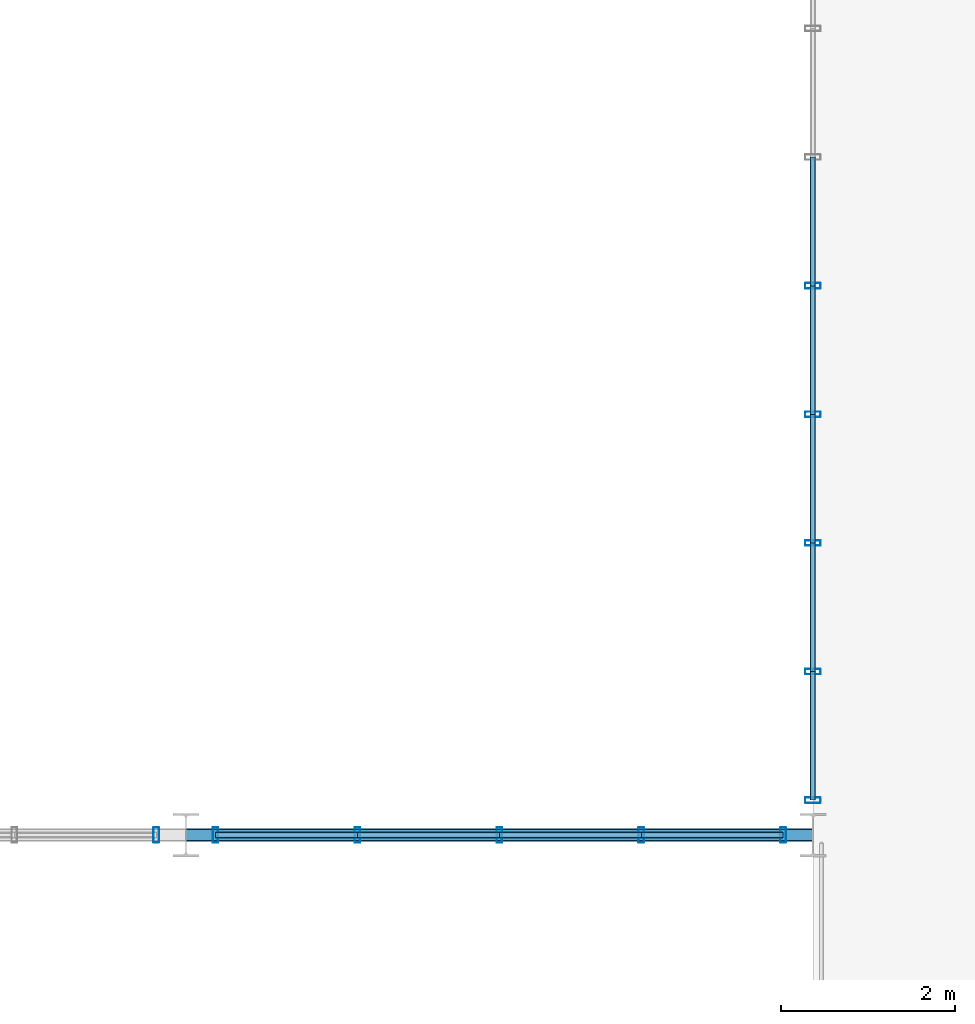
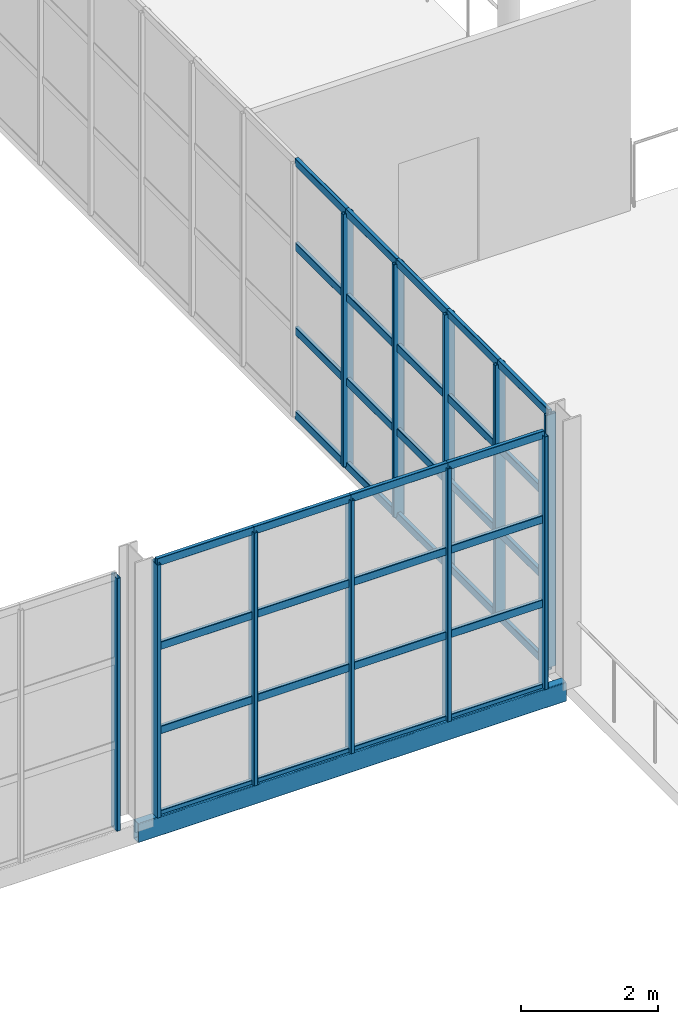
# One storey, part 46 of 143: 47 members, 1 beam, 3 elements without a shape of their own.
"""IFC4 building model written with IfcOpenShell, lengths in metres."""

from ifc_helpers import new_model, si_unit, derived_unit, direction, frame, origin, origin_2d, place, context, subcontext, project, spatial, hollow_rectangle, extrude, material, material_profile, profile_set, type_object, element, aggregate, save


model = new_model("IFC4")

# Units and contexts
model_context = context("Model", 3, precision=1e-05, world=origin(), true_north=direction((0.0, 1.0)))
body_context = subcontext(model_context, "Body", "Model", "MODEL_VIEW")
ifc_project = project(units=[si_unit("LENGTHUNIT", "METRE"), si_unit("AREAUNIT", "SQUARE_METRE"), si_unit("VOLUMEUNIT", "CUBIC_METRE"), si_unit("PLANEANGLEUNIT", "RADIAN"), si_unit("MASSUNIT", "GRAM", prefix="KILO"), derived_unit("THERMALTRANSMITTANCEUNIT", [(si_unit("POWERUNIT", "WATT"), 1), (si_unit("LENGTHUNIT", "METRE"), -2), (si_unit("THERMODYNAMICTEMPERATUREUNIT", "KELVIN"), -1)])], contexts=[model_context])

# Site, building, storey
site_placement = place(None, origin())
site = spatial("IfcSite", under=ifc_project, at=site_placement, CompositionType="ELEMENT")
building_placement = place(site_placement, origin())
building = spatial("IfcBuilding", under=site, at=building_placement, Name="Keldorne Ridge Multi-Sports Centre", CompositionType="ELEMENT")
storey_placement = place(building_placement, frame((0.0, 0.0, 4.800048828125)))
storey = spatial("IfcBuildingStorey", under=building, at=storey_placement, Name="L01", CompositionType="ELEMENT", Elevation=4.800048828125)

# Beam
ifc_material_1 = material(Name="Steel S355", Category="steel")
ifc_material_profile_1 = material_profile(ifc_material_1, hollow_rectangle(XDim=0.14990234375, YDim=0.35009765625, WallThickness=0.012451171875, InnerFilletRadius=0.012451171875, OuterFilletRadius=0.02490234375, at=origin_2d()), Name="RHS 350x150x12.5")
ifc_profile_set_1 = profile_set([ifc_material_profile_1], Name="Steel S355")
beam_type = type_object("IfcBeamType", Name="BM-SP-06", PredefinedType="SPANDREL", material=ifc_profile_set_1)
beam_placement = place(storey_placement, frame((70.800048828125, 54.0, -0.175048828125), z_axis=(1.0, 0.0, 0.0), x_axis=(0.0, 1.0, 0.0)))
element("IfcBeam", 1, at=beam_placement, inside=storey, type_object=beam_type, Name="Main Hall north spandrel L01.10", PredefinedType="SPANDREL", context=body_context, shape_type="SweptSolid", body=[
    extrude(hollow_rectangle(XDim=0.14990234375, YDim=0.35009765625, WallThickness=0.012451171875, InnerFilletRadius=0.012451171875, OuterFilletRadius=0.02490234375, at=origin_2d()), origin(), (0.0, 0.0, 1.0), 7.199951171875),
])

# Curtain wall, member
ifc_material_2 = material(Name="Anodized aluminium", Category="aluminium")
curtain_wall_type_1 = type_object("IfcCurtainWallType", Name="CW-CW-01", PredefinedType="NOTDEFINED", material=ifc_material_2)
curtain_wall_1_placement = place(storey_placement, origin())
curtain_wall_1 = element("IfcCurtainWall", 2, at=curtain_wall_1_placement, inside=storey, type_object=curtain_wall_type_1, Name="Main Hall north clerestory curtain wall 025", PredefinedType="NOTDEFINED")
ifc_material_profile_2 = material_profile(ifc_material_2, hollow_rectangle(XDim=0.06494140625, YDim=0.179931640625, WallThickness=0.00439453125, InnerFilletRadius=0.00439453125, OuterFilletRadius=0.009033203125, at=origin_2d()), Name="ALU MULLION 180x65x4.5")
ifc_profile_set_2 = profile_set([ifc_material_profile_2], Name="Anodized aluminium")
member_type_1 = type_object("IfcMemberType", Name="MEM-ML-01", PredefinedType="MULLION", material=ifc_profile_set_2)
member_1_placement = place(storey_placement, frame((70.4599609375, 54.0, 0.0), z_axis=(0.0, 0.0, 1.0), x_axis=(1.0, 0.0, 0.0)))
member_1 = element("IfcMember", 3, at=member_1_placement, type_object=member_type_1, Name="CW-025 vertical mullion 1", PredefinedType="MULLION", context=body_context, shape_type="SweptSolid", body=[
    extrude(hollow_rectangle(XDim=0.06494140625, YDim=0.179931640625, WallThickness=0.00439453125, InnerFilletRadius=0.00439453125, OuterFilletRadius=0.009033203125, at=origin_2d()), origin(), (0.0, 0.0, 1.0), 4.5),
])
aggregate(curtain_wall_1, [member_1])

# Curtain wall, members
curtain_wall_type_2 = type_object("IfcCurtainWallType", Name="CW-CW-04", PredefinedType="NOTDEFINED", material=ifc_material_2)
curtain_wall_2_placement = place(storey_placement, origin())
curtain_wall_2 = element("IfcCurtainWall", 4, at=curtain_wall_2_placement, inside=storey, type_object=curtain_wall_type_2, Name="Main Hall north clerestory curtain wall 028", PredefinedType="NOTDEFINED")
member_2_placement = place(storey_placement, frame((77.659912109375, 54.0, 0.0), z_axis=(0.0, 0.0, 1.0), x_axis=(1.0, 0.0, 0.0)))
member_2 = element("IfcMember", 5, at=member_2_placement, type_object=member_type_1, Name="CW-028 vertical mullion 1", PredefinedType="MULLION", context=body_context, shape_type="SweptSolid", body=[
    extrude(hollow_rectangle(XDim=0.06494140625, YDim=0.179931640625, WallThickness=0.00439453125, InnerFilletRadius=0.00439453125, OuterFilletRadius=0.009033203125, at=origin_2d()), origin(), (0.0, 0.0, 1.0), 4.5),
])
member_3_placement = place(storey_placement, frame((76.030029296875, 54.0, 0.0), z_axis=(0.0, 0.0, 1.0), x_axis=(1.0, 0.0, 0.0)))
member_3 = element("IfcMember", 6, at=member_3_placement, type_object=member_type_1, Name="CW-028 vertical mullion 2", PredefinedType="MULLION", context=body_context, shape_type="SweptSolid", body=[
    extrude(hollow_rectangle(XDim=0.06494140625, YDim=0.179931640625, WallThickness=0.00439453125, InnerFilletRadius=0.00439453125, OuterFilletRadius=0.009033203125, at=origin_2d()), origin(), (0.0, 0.0, 1.0), 4.5),
])
member_4_placement = place(storey_placement, frame((74.39990234375, 54.0, 0.0), z_axis=(0.0, 0.0, 1.0), x_axis=(1.0, 0.0, 0.0)))
member_4 = element("IfcMember", 7, at=member_4_placement, type_object=member_type_1, Name="CW-028 vertical mullion 3", PredefinedType="MULLION", context=body_context, shape_type="SweptSolid", body=[
    extrude(hollow_rectangle(XDim=0.06494140625, YDim=0.179931640625, WallThickness=0.00439453125, InnerFilletRadius=0.00439453125, OuterFilletRadius=0.009033203125, at=origin_2d()), origin(), (0.0, 0.0, 1.0), 4.5),
])
member_5_placement = place(storey_placement, frame((72.77001953125, 54.0, 0.0), z_axis=(0.0, 0.0, 1.0), x_axis=(1.0, 0.0, 0.0)))
member_5 = element("IfcMember", 8, at=member_5_placement, type_object=member_type_1, Name="CW-028 vertical mullion 4", PredefinedType="MULLION", context=body_context, shape_type="SweptSolid", body=[
    extrude(hollow_rectangle(XDim=0.06494140625, YDim=0.179931640625, WallThickness=0.00439453125, InnerFilletRadius=0.00439453125, OuterFilletRadius=0.009033203125, at=origin_2d()), origin(), (0.0, 0.0, 1.0), 4.5),
])
member_6_placement = place(storey_placement, frame((71.139892578125, 54.0, 0.0), z_axis=(0.0, 0.0, 1.0), x_axis=(1.0, 0.0, 0.0)))
member_6 = element("IfcMember", 9, at=member_6_placement, type_object=member_type_1, Name="CW-028 vertical mullion 5", PredefinedType="MULLION", context=body_context, shape_type="SweptSolid", body=[
    extrude(hollow_rectangle(XDim=0.06494140625, YDim=0.179931640625, WallThickness=0.00439453125, InnerFilletRadius=0.00439453125, OuterFilletRadius=0.009033203125, at=origin_2d()), origin(), (0.0, 0.0, 1.0), 4.5),
])

curtain_wall_3_placement = place(storey_placement, origin())
curtain_wall_3 = element("IfcCurtainWall", 10, at=curtain_wall_3_placement, inside=storey, type_object=curtain_wall_type_2, Name="Passage west courtyard curtain wall L01 084", PredefinedType="NOTDEFINED")
member_7_placement = place(storey_placement, frame((78.0, 60.3076171875, 0.0), z_axis=(0.0, 0.0, 1.0), x_axis=(0.0, 1.0, 0.0)))
member_7 = element("IfcMember", 11, at=member_7_placement, type_object=member_type_1, Name="CW-084 vertical mullion 10", PredefinedType="MULLION", context=body_context, shape_type="SweptSolid", body=[
    extrude(hollow_rectangle(XDim=0.06494140625, YDim=0.179931640625, WallThickness=0.00439453125, InnerFilletRadius=0.00439453125, OuterFilletRadius=0.009033203125, at=origin_2d()), origin(), (0.0, 0.0, 1.0), 4.5),
])
member_8_placement = place(storey_placement, frame((78.0, 58.830810546875, 0.0), z_axis=(0.0, 0.0, 1.0), x_axis=(0.0, 1.0, 0.0)))
member_8 = element("IfcMember", 12, at=member_8_placement, type_object=member_type_1, Name="CW-084 vertical mullion 11", PredefinedType="MULLION", context=body_context, shape_type="SweptSolid", body=[
    extrude(hollow_rectangle(XDim=0.06494140625, YDim=0.179931640625, WallThickness=0.00439453125, InnerFilletRadius=0.00439453125, OuterFilletRadius=0.009033203125, at=origin_2d()), origin(), (0.0, 0.0, 1.0), 4.5),
])
member_9_placement = place(storey_placement, frame((78.0, 57.353759765625, 0.0), z_axis=(0.0, 0.0, 1.0), x_axis=(0.0, 1.0, 0.0)))
member_9 = element("IfcMember", 13, at=member_9_placement, type_object=member_type_1, Name="CW-084 vertical mullion 12", PredefinedType="MULLION", context=body_context, shape_type="SweptSolid", body=[
    extrude(hollow_rectangle(XDim=0.06494140625, YDim=0.179931640625, WallThickness=0.00439453125, InnerFilletRadius=0.00439453125, OuterFilletRadius=0.009033203125, at=origin_2d()), origin(), (0.0, 0.0, 1.0), 4.5),
])
member_10_placement = place(storey_placement, frame((78.0, 55.876953125, 0.0), z_axis=(0.0, 0.0, 1.0), x_axis=(0.0, 1.0, 0.0)))
member_10 = element("IfcMember", 14, at=member_10_placement, type_object=member_type_1, Name="CW-084 vertical mullion 13", PredefinedType="MULLION", context=body_context, shape_type="SweptSolid", body=[
    extrude(hollow_rectangle(XDim=0.06494140625, YDim=0.179931640625, WallThickness=0.00439453125, InnerFilletRadius=0.00439453125, OuterFilletRadius=0.009033203125, at=origin_2d()), origin(), (0.0, 0.0, 1.0), 4.5),
])
member_11_placement = place(storey_placement, frame((78.0, 54.39990234375, 0.0), z_axis=(0.0, 0.0, 1.0), x_axis=(0.0, 1.0, 0.0)))
member_11 = element("IfcMember", 15, at=member_11_placement, type_object=member_type_1, Name="CW-084 vertical mullion 14", PredefinedType="MULLION", context=body_context, shape_type="SweptSolid", body=[
    extrude(hollow_rectangle(XDim=0.06494140625, YDim=0.179931640625, WallThickness=0.00439453125, InnerFilletRadius=0.00439453125, OuterFilletRadius=0.009033203125, at=origin_2d()), origin(), (0.0, 0.0, 1.0), 4.5),
])

# Member
ifc_material_profile_3 = material_profile(ifc_material_2, hollow_rectangle(XDim=0.06494140625, YDim=0.139892578125, WallThickness=0.00439453125, InnerFilletRadius=0.00439453125, OuterFilletRadius=0.009033203125, at=origin_2d()), Name="ALU TRANSOM 140x65x4.5")
ifc_profile_set_3 = profile_set([ifc_material_profile_3], Name="Anodized aluminium")
member_type_2 = type_object("IfcMemberType", Name="MEM-TR-01", PredefinedType="USERDEFINED", material=ifc_profile_set_3)
member_12_placement = place(storey_placement, frame((77.659912109375, 54.0, 0.0), z_axis=(-1.0, 0.0, 0.0), x_axis=(0.0, -1.0, 0.0)))
member_12 = element("IfcMember", 16, at=member_12_placement, type_object=member_type_2, Name="CW-028 transom 1.1", ObjectType="TRANSOM", PredefinedType="USERDEFINED", context=body_context, shape_type="SweptSolid", body=[
    extrude(hollow_rectangle(XDim=0.06494140625, YDim=0.139892578125, WallThickness=0.00439453125, InnerFilletRadius=0.00439453125, OuterFilletRadius=0.009033203125, at=origin_2d()), origin(), (0.0, 0.0, 1.0), 1.6298828125),
])

member_13_placement = place(storey_placement, frame((77.659912109375, 54.0, 1.5), z_axis=(-1.0, 0.0, 0.0), x_axis=(0.0, -1.0, 0.0)))
member_13 = element("IfcMember", 17, at=member_13_placement, type_object=member_type_2, Name="CW-028 transom 1.2", ObjectType="TRANSOM", PredefinedType="USERDEFINED", context=body_context, shape_type="SweptSolid", body=[
    extrude(hollow_rectangle(XDim=0.06494140625, YDim=0.139892578125, WallThickness=0.00439453125, InnerFilletRadius=0.00439453125, OuterFilletRadius=0.009033203125, at=origin_2d()), origin(), (0.0, 0.0, 1.0), 1.6298828125),
])

member_14_placement = place(storey_placement, frame((77.659912109375, 54.0, 3.0), z_axis=(-1.0, 0.0, 0.0), x_axis=(0.0, -1.0, 0.0)))
member_14 = element("IfcMember", 18, at=member_14_placement, type_object=member_type_2, Name="CW-028 transom 1.3", ObjectType="TRANSOM", PredefinedType="USERDEFINED", context=body_context, shape_type="SweptSolid", body=[
    extrude(hollow_rectangle(XDim=0.06494140625, YDim=0.139892578125, WallThickness=0.00439453125, InnerFilletRadius=0.00439453125, OuterFilletRadius=0.009033203125, at=origin_2d()), origin(), (0.0, 0.0, 1.0), 1.6298828125),
])

member_15_placement = place(storey_placement, frame((77.659912109375, 54.0, 4.5), z_axis=(-1.0, 0.0, 0.0), x_axis=(0.0, -1.0, 0.0)))
member_15 = element("IfcMember", 19, at=member_15_placement, type_object=member_type_2, Name="CW-028 transom 1.4", ObjectType="TRANSOM", PredefinedType="USERDEFINED", context=body_context, shape_type="SweptSolid", body=[
    extrude(hollow_rectangle(XDim=0.06494140625, YDim=0.139892578125, WallThickness=0.00439453125, InnerFilletRadius=0.00439453125, OuterFilletRadius=0.009033203125, at=origin_2d()), origin(), (0.0, 0.0, 1.0), 1.6298828125),
])

member_16_placement = place(storey_placement, frame((76.030029296875, 54.0, 0.0), z_axis=(-1.0, 0.0, 0.0), x_axis=(0.0, -1.0, 0.0)))
member_16 = element("IfcMember", 20, at=member_16_placement, type_object=member_type_2, Name="CW-028 transom 2.1", ObjectType="TRANSOM", PredefinedType="USERDEFINED", context=body_context, shape_type="SweptSolid", body=[
    extrude(hollow_rectangle(XDim=0.06494140625, YDim=0.139892578125, WallThickness=0.00439453125, InnerFilletRadius=0.00439453125, OuterFilletRadius=0.009033203125, at=origin_2d()), origin(), (0.0, 0.0, 1.0), 1.630126953125),
])

member_17_placement = place(storey_placement, frame((76.030029296875, 54.0, 1.5), z_axis=(-1.0, 0.0, 0.0), x_axis=(0.0, -1.0, 0.0)))
member_17 = element("IfcMember", 21, at=member_17_placement, type_object=member_type_2, Name="CW-028 transom 2.2", ObjectType="TRANSOM", PredefinedType="USERDEFINED", context=body_context, shape_type="SweptSolid", body=[
    extrude(hollow_rectangle(XDim=0.06494140625, YDim=0.139892578125, WallThickness=0.00439453125, InnerFilletRadius=0.00439453125, OuterFilletRadius=0.009033203125, at=origin_2d()), origin(), (0.0, 0.0, 1.0), 1.630126953125),
])

member_18_placement = place(storey_placement, frame((76.030029296875, 54.0, 3.0), z_axis=(-1.0, 0.0, 0.0), x_axis=(0.0, -1.0, 0.0)))
member_18 = element("IfcMember", 22, at=member_18_placement, type_object=member_type_2, Name="CW-028 transom 2.3", ObjectType="TRANSOM", PredefinedType="USERDEFINED", context=body_context, shape_type="SweptSolid", body=[
    extrude(hollow_rectangle(XDim=0.06494140625, YDim=0.139892578125, WallThickness=0.00439453125, InnerFilletRadius=0.00439453125, OuterFilletRadius=0.009033203125, at=origin_2d()), origin(), (0.0, 0.0, 1.0), 1.630126953125),
])

member_19_placement = place(storey_placement, frame((76.030029296875, 54.0, 4.5), z_axis=(-1.0, 0.0, 0.0), x_axis=(0.0, -1.0, 0.0)))
member_19 = element("IfcMember", 23, at=member_19_placement, type_object=member_type_2, Name="CW-028 transom 2.4", ObjectType="TRANSOM", PredefinedType="USERDEFINED", context=body_context, shape_type="SweptSolid", body=[
    extrude(hollow_rectangle(XDim=0.06494140625, YDim=0.139892578125, WallThickness=0.00439453125, InnerFilletRadius=0.00439453125, OuterFilletRadius=0.009033203125, at=origin_2d()), origin(), (0.0, 0.0, 1.0), 1.630126953125),
])

member_20_placement = place(storey_placement, frame((74.39990234375, 54.0, 0.0), z_axis=(-1.0, 0.0, 0.0), x_axis=(0.0, -1.0, 0.0)))
member_20 = element("IfcMember", 24, at=member_20_placement, type_object=member_type_2, Name="CW-028 transom 3.1", ObjectType="TRANSOM", PredefinedType="USERDEFINED", context=body_context, shape_type="SweptSolid", body=[
    extrude(hollow_rectangle(XDim=0.06494140625, YDim=0.139892578125, WallThickness=0.00439453125, InnerFilletRadius=0.00439453125, OuterFilletRadius=0.009033203125, at=origin_2d()), origin(), (0.0, 0.0, 1.0), 1.6298828125),
])

member_21_placement = place(storey_placement, frame((74.39990234375, 54.0, 1.5), z_axis=(-1.0, 0.0, 0.0), x_axis=(0.0, -1.0, 0.0)))
member_21 = element("IfcMember", 25, at=member_21_placement, type_object=member_type_2, Name="CW-028 transom 3.2", ObjectType="TRANSOM", PredefinedType="USERDEFINED", context=body_context, shape_type="SweptSolid", body=[
    extrude(hollow_rectangle(XDim=0.06494140625, YDim=0.139892578125, WallThickness=0.00439453125, InnerFilletRadius=0.00439453125, OuterFilletRadius=0.009033203125, at=origin_2d()), origin(), (0.0, 0.0, 1.0), 1.6298828125),
])

member_22_placement = place(storey_placement, frame((74.39990234375, 54.0, 3.0), z_axis=(-1.0, 0.0, 0.0), x_axis=(0.0, -1.0, 0.0)))
member_22 = element("IfcMember", 26, at=member_22_placement, type_object=member_type_2, Name="CW-028 transom 3.3", ObjectType="TRANSOM", PredefinedType="USERDEFINED", context=body_context, shape_type="SweptSolid", body=[
    extrude(hollow_rectangle(XDim=0.06494140625, YDim=0.139892578125, WallThickness=0.00439453125, InnerFilletRadius=0.00439453125, OuterFilletRadius=0.009033203125, at=origin_2d()), origin(), (0.0, 0.0, 1.0), 1.6298828125),
])

member_23_placement = place(storey_placement, frame((74.39990234375, 54.0, 4.5), z_axis=(-1.0, 0.0, 0.0), x_axis=(0.0, -1.0, 0.0)))
member_23 = element("IfcMember", 27, at=member_23_placement, type_object=member_type_2, Name="CW-028 transom 3.4", ObjectType="TRANSOM", PredefinedType="USERDEFINED", context=body_context, shape_type="SweptSolid", body=[
    extrude(hollow_rectangle(XDim=0.06494140625, YDim=0.139892578125, WallThickness=0.00439453125, InnerFilletRadius=0.00439453125, OuterFilletRadius=0.009033203125, at=origin_2d()), origin(), (0.0, 0.0, 1.0), 1.6298828125),
])

member_24_placement = place(storey_placement, frame((72.77001953125, 54.0, 0.0), z_axis=(-1.0, 0.0, 0.0), x_axis=(0.0, -1.0, 0.0)))
member_24 = element("IfcMember", 28, at=member_24_placement, type_object=member_type_2, Name="CW-028 transom 4.1", ObjectType="TRANSOM", PredefinedType="USERDEFINED", context=body_context, shape_type="SweptSolid", body=[
    extrude(hollow_rectangle(XDim=0.06494140625, YDim=0.139892578125, WallThickness=0.00439453125, InnerFilletRadius=0.00439453125, OuterFilletRadius=0.009033203125, at=origin_2d()), origin(), (0.0, 0.0, 1.0), 1.630126953125),
])

member_25_placement = place(storey_placement, frame((72.77001953125, 54.0, 1.5), z_axis=(-1.0, 0.0, 0.0), x_axis=(0.0, -1.0, 0.0)))
member_25 = element("IfcMember", 29, at=member_25_placement, type_object=member_type_2, Name="CW-028 transom 4.2", ObjectType="TRANSOM", PredefinedType="USERDEFINED", context=body_context, shape_type="SweptSolid", body=[
    extrude(hollow_rectangle(XDim=0.06494140625, YDim=0.139892578125, WallThickness=0.00439453125, InnerFilletRadius=0.00439453125, OuterFilletRadius=0.009033203125, at=origin_2d()), origin(), (0.0, 0.0, 1.0), 1.630126953125),
])

member_26_placement = place(storey_placement, frame((72.77001953125, 54.0, 3.0), z_axis=(-1.0, 0.0, 0.0), x_axis=(0.0, -1.0, 0.0)))
member_26 = element("IfcMember", 30, at=member_26_placement, type_object=member_type_2, Name="CW-028 transom 4.3", ObjectType="TRANSOM", PredefinedType="USERDEFINED", context=body_context, shape_type="SweptSolid", body=[
    extrude(hollow_rectangle(XDim=0.06494140625, YDim=0.139892578125, WallThickness=0.00439453125, InnerFilletRadius=0.00439453125, OuterFilletRadius=0.009033203125, at=origin_2d()), origin(), (0.0, 0.0, 1.0), 1.630126953125),
])

member_27_placement = place(storey_placement, frame((72.77001953125, 54.0, 4.5), z_axis=(-1.0, 0.0, 0.0), x_axis=(0.0, -1.0, 0.0)))
member_27 = element("IfcMember", 31, at=member_27_placement, type_object=member_type_2, Name="CW-028 transom 4.4", ObjectType="TRANSOM", PredefinedType="USERDEFINED", context=body_context, shape_type="SweptSolid", body=[
    extrude(hollow_rectangle(XDim=0.06494140625, YDim=0.139892578125, WallThickness=0.00439453125, InnerFilletRadius=0.00439453125, OuterFilletRadius=0.009033203125, at=origin_2d()), origin(), (0.0, 0.0, 1.0), 1.630126953125),
])

aggregate(curtain_wall_2, [member_2, member_3, member_4, member_5, member_6, member_12, member_13, member_14, member_15, member_16, member_17, member_18, member_19, member_20, member_21, member_22, member_23, member_24, member_25, member_26, member_27])

member_28_placement = place(storey_placement, frame((78.0, 61.78466796875, 0.0), z_axis=(0.0, -1.0, 0.0), x_axis=(1.0, 0.0, 0.0)))
member_28 = element("IfcMember", 32, at=member_28_placement, type_object=member_type_2, Name="CW-084 transom 9.1", ObjectType="TRANSOM", PredefinedType="USERDEFINED", context=body_context, shape_type="SweptSolid", body=[
    extrude(hollow_rectangle(XDim=0.06494140625, YDim=0.139892578125, WallThickness=0.00439453125, InnerFilletRadius=0.00439453125, OuterFilletRadius=0.009033203125, at=origin_2d()), origin(), (0.0, 0.0, 1.0), 1.47705078125),
])

member_29_placement = place(storey_placement, frame((78.0, 61.78466796875, 1.5), z_axis=(0.0, -1.0, 0.0), x_axis=(1.0, 0.0, 0.0)))
member_29 = element("IfcMember", 33, at=member_29_placement, type_object=member_type_2, Name="CW-084 transom 9.2", ObjectType="TRANSOM", PredefinedType="USERDEFINED", context=body_context, shape_type="SweptSolid", body=[
    extrude(hollow_rectangle(XDim=0.06494140625, YDim=0.139892578125, WallThickness=0.00439453125, InnerFilletRadius=0.00439453125, OuterFilletRadius=0.009033203125, at=origin_2d()), origin(), (0.0, 0.0, 1.0), 1.47705078125),
])

member_30_placement = place(storey_placement, frame((78.0, 61.78466796875, 3.0), z_axis=(0.0, -1.0, 0.0), x_axis=(1.0, 0.0, 0.0)))
member_30 = element("IfcMember", 34, at=member_30_placement, type_object=member_type_2, Name="CW-084 transom 9.3", ObjectType="TRANSOM", PredefinedType="USERDEFINED", context=body_context, shape_type="SweptSolid", body=[
    extrude(hollow_rectangle(XDim=0.06494140625, YDim=0.139892578125, WallThickness=0.00439453125, InnerFilletRadius=0.00439453125, OuterFilletRadius=0.009033203125, at=origin_2d()), origin(), (0.0, 0.0, 1.0), 1.47705078125),
])

member_31_placement = place(storey_placement, frame((78.0, 61.78466796875, 4.5), z_axis=(0.0, -1.0, 0.0), x_axis=(1.0, 0.0, 0.0)))
member_31 = element("IfcMember", 35, at=member_31_placement, type_object=member_type_2, Name="CW-084 transom 9.4", ObjectType="TRANSOM", PredefinedType="USERDEFINED", context=body_context, shape_type="SweptSolid", body=[
    extrude(hollow_rectangle(XDim=0.06494140625, YDim=0.139892578125, WallThickness=0.00439453125, InnerFilletRadius=0.00439453125, OuterFilletRadius=0.009033203125, at=origin_2d()), origin(), (0.0, 0.0, 1.0), 1.47705078125),
])

member_32_placement = place(storey_placement, frame((78.0, 60.3076171875, 0.0), z_axis=(0.0, -1.0, 0.0), x_axis=(1.0, 0.0, 0.0)))
member_32 = element("IfcMember", 36, at=member_32_placement, type_object=member_type_2, Name="CW-084 transom 10.1", ObjectType="TRANSOM", PredefinedType="USERDEFINED", context=body_context, shape_type="SweptSolid", body=[
    extrude(hollow_rectangle(XDim=0.06494140625, YDim=0.139892578125, WallThickness=0.00439453125, InnerFilletRadius=0.00439453125, OuterFilletRadius=0.009033203125, at=origin_2d()), origin(), (0.0, 0.0, 1.0), 1.476806640625),
])

member_33_placement = place(storey_placement, frame((78.0, 60.3076171875, 1.5), z_axis=(0.0, -1.0, 0.0), x_axis=(1.0, 0.0, 0.0)))
member_33 = element("IfcMember", 37, at=member_33_placement, type_object=member_type_2, Name="CW-084 transom 10.2", ObjectType="TRANSOM", PredefinedType="USERDEFINED", context=body_context, shape_type="SweptSolid", body=[
    extrude(hollow_rectangle(XDim=0.06494140625, YDim=0.139892578125, WallThickness=0.00439453125, InnerFilletRadius=0.00439453125, OuterFilletRadius=0.009033203125, at=origin_2d()), origin(), (0.0, 0.0, 1.0), 1.476806640625),
])

member_34_placement = place(storey_placement, frame((78.0, 60.3076171875, 3.0), z_axis=(0.0, -1.0, 0.0), x_axis=(1.0, 0.0, 0.0)))
member_34 = element("IfcMember", 38, at=member_34_placement, type_object=member_type_2, Name="CW-084 transom 10.3", ObjectType="TRANSOM", PredefinedType="USERDEFINED", context=body_context, shape_type="SweptSolid", body=[
    extrude(hollow_rectangle(XDim=0.06494140625, YDim=0.139892578125, WallThickness=0.00439453125, InnerFilletRadius=0.00439453125, OuterFilletRadius=0.009033203125, at=origin_2d()), origin(), (0.0, 0.0, 1.0), 1.476806640625),
])

member_35_placement = place(storey_placement, frame((78.0, 60.3076171875, 4.5), z_axis=(0.0, -1.0, 0.0), x_axis=(1.0, 0.0, 0.0)))
member_35 = element("IfcMember", 39, at=member_35_placement, type_object=member_type_2, Name="CW-084 transom 10.4", ObjectType="TRANSOM", PredefinedType="USERDEFINED", context=body_context, shape_type="SweptSolid", body=[
    extrude(hollow_rectangle(XDim=0.06494140625, YDim=0.139892578125, WallThickness=0.00439453125, InnerFilletRadius=0.00439453125, OuterFilletRadius=0.009033203125, at=origin_2d()), origin(), (0.0, 0.0, 1.0), 1.476806640625),
])

member_36_placement = place(storey_placement, frame((78.0, 58.830810546875, 0.0), z_axis=(0.0, -1.0, 0.0), x_axis=(1.0, 0.0, 0.0)))
member_36 = element("IfcMember", 40, at=member_36_placement, type_object=member_type_2, Name="CW-084 transom 11.1", ObjectType="TRANSOM", PredefinedType="USERDEFINED", context=body_context, shape_type="SweptSolid", body=[
    extrude(hollow_rectangle(XDim=0.06494140625, YDim=0.139892578125, WallThickness=0.00439453125, InnerFilletRadius=0.00439453125, OuterFilletRadius=0.009033203125, at=origin_2d()), origin(), (0.0, 0.0, 1.0), 1.47705078125),
])

member_37_placement = place(storey_placement, frame((78.0, 58.830810546875, 1.5), z_axis=(0.0, -1.0, 0.0), x_axis=(1.0, 0.0, 0.0)))
member_37 = element("IfcMember", 41, at=member_37_placement, type_object=member_type_2, Name="CW-084 transom 11.2", ObjectType="TRANSOM", PredefinedType="USERDEFINED", context=body_context, shape_type="SweptSolid", body=[
    extrude(hollow_rectangle(XDim=0.06494140625, YDim=0.139892578125, WallThickness=0.00439453125, InnerFilletRadius=0.00439453125, OuterFilletRadius=0.009033203125, at=origin_2d()), origin(), (0.0, 0.0, 1.0), 1.47705078125),
])

member_38_placement = place(storey_placement, frame((78.0, 58.830810546875, 3.0), z_axis=(0.0, -1.0, 0.0), x_axis=(1.0, 0.0, 0.0)))
member_38 = element("IfcMember", 42, at=member_38_placement, type_object=member_type_2, Name="CW-084 transom 11.3", ObjectType="TRANSOM", PredefinedType="USERDEFINED", context=body_context, shape_type="SweptSolid", body=[
    extrude(hollow_rectangle(XDim=0.06494140625, YDim=0.139892578125, WallThickness=0.00439453125, InnerFilletRadius=0.00439453125, OuterFilletRadius=0.009033203125, at=origin_2d()), origin(), (0.0, 0.0, 1.0), 1.47705078125),
])

member_39_placement = place(storey_placement, frame((78.0, 58.830810546875, 4.5), z_axis=(0.0, -1.0, 0.0), x_axis=(1.0, 0.0, 0.0)))
member_39 = element("IfcMember", 43, at=member_39_placement, type_object=member_type_2, Name="CW-084 transom 11.4", ObjectType="TRANSOM", PredefinedType="USERDEFINED", context=body_context, shape_type="SweptSolid", body=[
    extrude(hollow_rectangle(XDim=0.06494140625, YDim=0.139892578125, WallThickness=0.00439453125, InnerFilletRadius=0.00439453125, OuterFilletRadius=0.009033203125, at=origin_2d()), origin(), (0.0, 0.0, 1.0), 1.47705078125),
])

member_40_placement = place(storey_placement, frame((78.0, 57.353759765625, 0.0), z_axis=(0.0, -1.0, 0.0), x_axis=(1.0, 0.0, 0.0)))
member_40 = element("IfcMember", 44, at=member_40_placement, type_object=member_type_2, Name="CW-084 transom 12.1", ObjectType="TRANSOM", PredefinedType="USERDEFINED", context=body_context, shape_type="SweptSolid", body=[
    extrude(hollow_rectangle(XDim=0.06494140625, YDim=0.139892578125, WallThickness=0.00439453125, InnerFilletRadius=0.00439453125, OuterFilletRadius=0.009033203125, at=origin_2d()), origin(), (0.0, 0.0, 1.0), 1.476806640625),
])

member_41_placement = place(storey_placement, frame((78.0, 57.353759765625, 1.5), z_axis=(0.0, -1.0, 0.0), x_axis=(1.0, 0.0, 0.0)))
member_41 = element("IfcMember", 45, at=member_41_placement, type_object=member_type_2, Name="CW-084 transom 12.2", ObjectType="TRANSOM", PredefinedType="USERDEFINED", context=body_context, shape_type="SweptSolid", body=[
    extrude(hollow_rectangle(XDim=0.06494140625, YDim=0.139892578125, WallThickness=0.00439453125, InnerFilletRadius=0.00439453125, OuterFilletRadius=0.009033203125, at=origin_2d()), origin(), (0.0, 0.0, 1.0), 1.476806640625),
])

member_42_placement = place(storey_placement, frame((78.0, 57.353759765625, 3.0), z_axis=(0.0, -1.0, 0.0), x_axis=(1.0, 0.0, 0.0)))
member_42 = element("IfcMember", 46, at=member_42_placement, type_object=member_type_2, Name="CW-084 transom 12.3", ObjectType="TRANSOM", PredefinedType="USERDEFINED", context=body_context, shape_type="SweptSolid", body=[
    extrude(hollow_rectangle(XDim=0.06494140625, YDim=0.139892578125, WallThickness=0.00439453125, InnerFilletRadius=0.00439453125, OuterFilletRadius=0.009033203125, at=origin_2d()), origin(), (0.0, 0.0, 1.0), 1.476806640625),
])

member_43_placement = place(storey_placement, frame((78.0, 57.353759765625, 4.5), z_axis=(0.0, -1.0, 0.0), x_axis=(1.0, 0.0, 0.0)))
member_43 = element("IfcMember", 47, at=member_43_placement, type_object=member_type_2, Name="CW-084 transom 12.4", ObjectType="TRANSOM", PredefinedType="USERDEFINED", context=body_context, shape_type="SweptSolid", body=[
    extrude(hollow_rectangle(XDim=0.06494140625, YDim=0.139892578125, WallThickness=0.00439453125, InnerFilletRadius=0.00439453125, OuterFilletRadius=0.009033203125, at=origin_2d()), origin(), (0.0, 0.0, 1.0), 1.476806640625),
])

member_44_placement = place(storey_placement, frame((78.0, 55.876953125, 0.0), z_axis=(0.0, -1.0, 0.0), x_axis=(1.0, 0.0, 0.0)))
member_44 = element("IfcMember", 48, at=member_44_placement, type_object=member_type_2, Name="CW-084 transom 13.1", ObjectType="TRANSOM", PredefinedType="USERDEFINED", context=body_context, shape_type="SweptSolid", body=[
    extrude(hollow_rectangle(XDim=0.06494140625, YDim=0.139892578125, WallThickness=0.00439453125, InnerFilletRadius=0.00439453125, OuterFilletRadius=0.009033203125, at=origin_2d()), origin(), (0.0, 0.0, 1.0), 1.47705078125),
])

member_45_placement = place(storey_placement, frame((78.0, 55.876953125, 1.5), z_axis=(0.0, -1.0, 0.0), x_axis=(1.0, 0.0, 0.0)))
member_45 = element("IfcMember", 49, at=member_45_placement, type_object=member_type_2, Name="CW-084 transom 13.2", ObjectType="TRANSOM", PredefinedType="USERDEFINED", context=body_context, shape_type="SweptSolid", body=[
    extrude(hollow_rectangle(XDim=0.06494140625, YDim=0.139892578125, WallThickness=0.00439453125, InnerFilletRadius=0.00439453125, OuterFilletRadius=0.009033203125, at=origin_2d()), origin(), (0.0, 0.0, 1.0), 1.47705078125),
])

member_46_placement = place(storey_placement, frame((78.0, 55.876953125, 3.0), z_axis=(0.0, -1.0, 0.0), x_axis=(1.0, 0.0, 0.0)))
member_46 = element("IfcMember", 50, at=member_46_placement, type_object=member_type_2, Name="CW-084 transom 13.3", ObjectType="TRANSOM", PredefinedType="USERDEFINED", context=body_context, shape_type="SweptSolid", body=[
    extrude(hollow_rectangle(XDim=0.06494140625, YDim=0.139892578125, WallThickness=0.00439453125, InnerFilletRadius=0.00439453125, OuterFilletRadius=0.009033203125, at=origin_2d()), origin(), (0.0, 0.0, 1.0), 1.47705078125),
])

member_47_placement = place(storey_placement, frame((78.0, 55.876953125, 4.5), z_axis=(0.0, -1.0, 0.0), x_axis=(1.0, 0.0, 0.0)))
member_47 = element("IfcMember", 51, at=member_47_placement, type_object=member_type_2, Name="CW-084 transom 13.4", ObjectType="TRANSOM", PredefinedType="USERDEFINED", context=body_context, shape_type="SweptSolid", body=[
    extrude(hollow_rectangle(XDim=0.06494140625, YDim=0.139892578125, WallThickness=0.00439453125, InnerFilletRadius=0.00439453125, OuterFilletRadius=0.009033203125, at=origin_2d()), origin(), (0.0, 0.0, 1.0), 1.47705078125),
])

aggregate(curtain_wall_3, [member_7, member_8, member_9, member_10, member_11, member_28, member_29, member_30, member_31, member_32, member_33, member_34, member_35, member_36, member_37, member_38, member_39, member_40, member_41, member_42, member_43, member_44, member_45, member_46, member_47])

save(model, "model.ifc")
